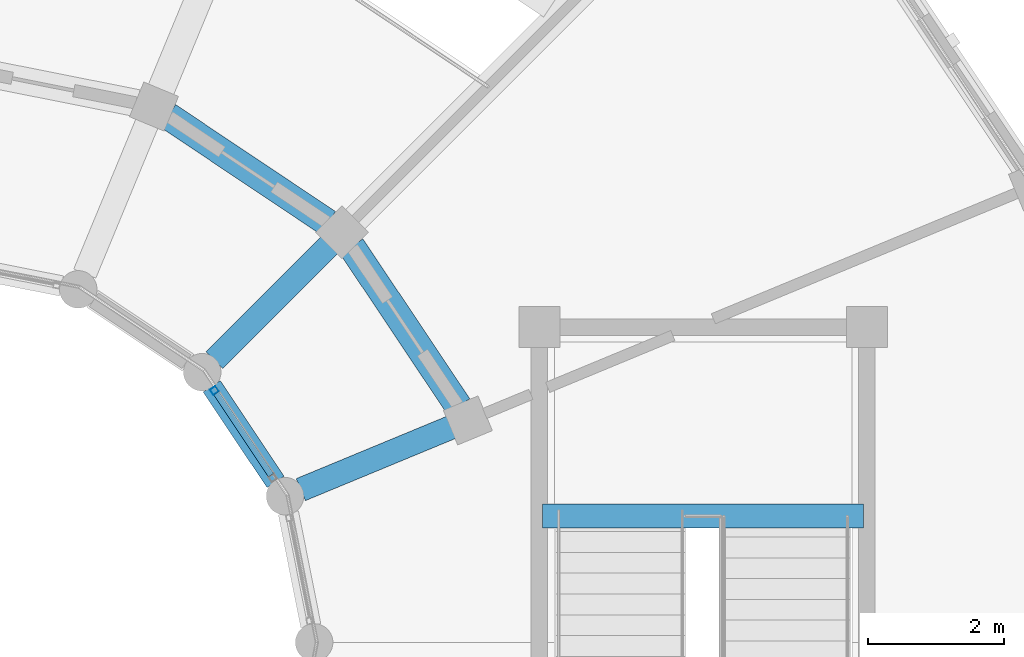
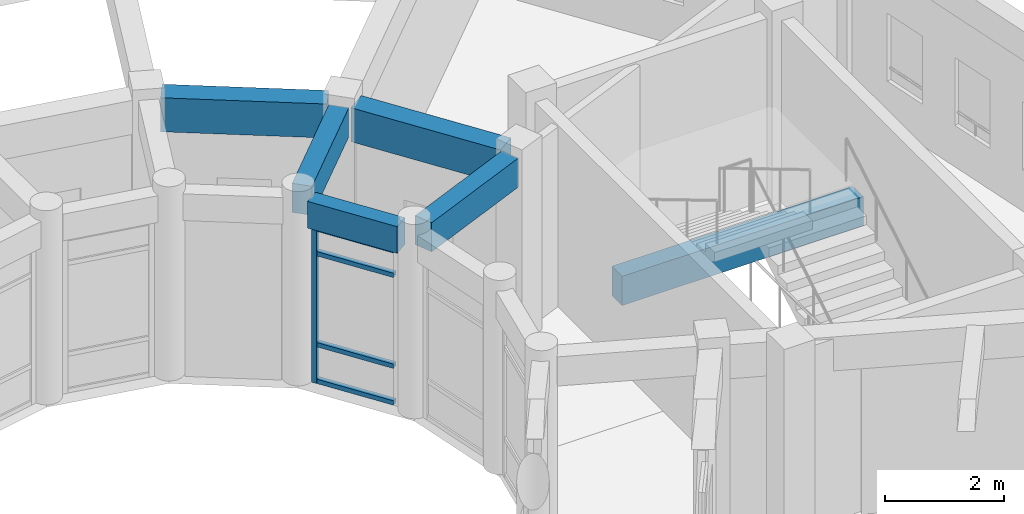
# One storey, part 72 of 159: 6 beams, 5 members, 1 element without a shape of its own.
"""IFC4 building model written with IfcOpenShell, lengths in metres."""

from ifc_helpers import new_model, si_unit, direction, frame, origin, origin_2d, place, context, subcontext, project, spatial, rectangle, hollow_rectangle, extrude, material, material_profile, profile_set, type_object, element, aggregate, save


model = new_model("IFC4")

# Units and contexts
model_context = context("Model", 3, precision=1e-05, world=origin(), true_north=direction((0.0, 1.0)))
body_context = subcontext(model_context, "Body", "Model", "MODEL_VIEW")
ifc_project = project(units=[si_unit("LENGTHUNIT", "METRE"), si_unit("AREAUNIT", "SQUARE_METRE"), si_unit("VOLUMEUNIT", "CUBIC_METRE"), si_unit("PLANEANGLEUNIT", "RADIAN"), si_unit("MASSUNIT", "GRAM", prefix="KILO")], contexts=[model_context])

# Site, building, storey
site_placement = place(None, origin())
site = spatial("IfcSite", under=ifc_project, at=site_placement, CompositionType="ELEMENT")
building_placement = place(site_placement, origin())
building = spatial("IfcBuilding", under=site, at=building_placement, Name="Celadon Cloister-Ring School", CompositionType="ELEMENT")
storey_placement = place(building_placement, frame((0.0, 0.0, 4.5)))
storey = spatial("IfcBuildingStorey", under=building, at=storey_placement, Name="L01", CompositionType="ELEMENT", Elevation=4.5)

# Beams
ifc_material_1 = material(Name="Concrete C35/45", Category="concrete")
ifc_material_profile_1 = material_profile(ifc_material_1, rectangle(XDim=0.35009765625, YDim=0.60009765625, at=origin_2d()), Name="RC350X600")
ifc_profile_set_1 = profile_set([ifc_material_profile_1], Name="Concrete C35/45")
beam_type_1 = type_object("IfcBeamType", Name="BT-02", PredefinedType="BEAM", material=ifc_profile_set_1)
beam_1_placement = place(storey_placement, frame((27.822021484375, 100.156982421875, 3.47998046875), z_axis=(-0.923932522988, -0.382555476978, 0.0), x_axis=(0.382555476978, -0.923932522988, 0.0)))
element("IfcBeam", 1, at=beam_1_placement, inside=storey, type_object=beam_type_1, Name="Beam 0660", PredefinedType="BEAM", context=body_context, shape_type="SweptSolid", body=[
    extrude(rectangle(XDim=0.35009765625, YDim=0.60009765625, at=origin_2d()), origin(), (0.0, 0.0, 1.0), 2.399658203125),
])
beam_2_placement = place(storey_placement, frame((26.032958984375, 102.8330078125, 3.47998046875), z_axis=(-0.707106781187, -0.707106781187, 0.0), x_axis=(0.707106781187, -0.707106781187, 0.0)))
element("IfcBeam", 2, at=beam_2_placement, inside=storey, type_object=beam_type_1, Name="Beam 0662", PredefinedType="BEAM", context=body_context, shape_type="SweptSolid", body=[
    extrude(rectangle(XDim=0.35009765625, YDim=0.60009765625, at=origin_2d()), origin(), (0.0, 0.0, 1.0), 2.398681640625),
])
beam_3_placement = place(storey_placement, frame((29.14990234375, 98.85009765625, 1.39990234375), z_axis=(1.0, 0.0, 0.0), x_axis=(0.0, 1.0, 0.0)))
element("IfcBeam", 3, at=beam_3_placement, inside=storey, type_object=beam_type_1, Name="Stair Landing Beam 1741", PredefinedType="BEAM", context=body_context, shape_type="SweptSolid", body=[
    extrude(rectangle(XDim=0.35009765625, YDim=0.60009765625, at=origin_2d()), origin(), (0.0, 0.0, 1.0), 4.7001953125),
])

# Curtain wall, members
ifc_material_2 = material(Name="Aluminium EN AW-6063 T6", Category="aluminium")
curtain_wall_type = type_object("IfcCurtainWallType", Name="CW-04", PredefinedType="USERDEFINED", material=ifc_material_2)
curtain_wall_placement = place(storey_placement, origin())
curtain_wall = element("IfcCurtainWall", 4, at=curtain_wall_placement, inside=storey, type_object=curtain_wall_type, Name="Curtain Wall 0092", ObjectType="CURTAIN WALL", PredefinedType="USERDEFINED")
ifc_material_3 = material(Name="Aluminium EN AW-6063 T6", Category="aluminium")
ifc_material_profile_2 = material_profile(ifc_material_3, hollow_rectangle(XDim=0.094970703125, YDim=0.094970703125, WallThickness=0.00390625, at=origin_2d()), Name="RHS95X95X4")
ifc_profile_set_2 = profile_set([ifc_material_profile_2], Name="Aluminium EN AW-6063 T6")
member_type_1 = type_object("IfcMemberType", Name="CM-02", PredefinedType="MULLION", material=ifc_profile_set_2)
member_1_placement = place(storey_placement, frame((24.33935546875, 100.69140625, 0.0), z_axis=(0.0, 0.0, 1.0), x_axis=(-0.831485091394, -0.555547066224, 0.0)))
member_1 = element("IfcMember", 5, at=member_1_placement, type_object=member_type_1, Name="CW-04 mullion 2", PredefinedType="MULLION", context=body_context, shape_type="SweptSolid", body=[
    extrude(hollow_rectangle(XDim=0.094970703125, YDim=0.094970703125, WallThickness=0.00390625, at=origin_2d()), origin(), (0.0, 0.0, 1.0), 3.221923828125),
])
ifc_material_4 = material(Name="Aluminium EN AW-6063 T6", Category="aluminium")
ifc_material_profile_3 = material_profile(ifc_material_4, hollow_rectangle(XDim=0.090087890625, YDim=0.090087890625, WallThickness=0.00390625, at=origin_2d()), Name="RHS90X90X4")
ifc_profile_set_3 = profile_set([ifc_material_profile_3], Name="Aluminium EN AW-6063 T6")
member_type_2 = type_object("IfcMemberType", Name="CTM-02", PredefinedType="USERDEFINED", material=ifc_profile_set_3)
member_2_placement = place(storey_placement, frame((25.168212890625, 99.450927734375, 0.044921875), z_axis=(-0.555518951009, 0.831503875559, 0.0), x_axis=(-0.831503875559, -0.555518951009, 0.0)))
member_2 = element("IfcMember", 6, at=member_2_placement, type_object=member_type_2, Name="CW-04 transom 1.1", ObjectType="TRANSOM", PredefinedType="USERDEFINED", context=body_context, shape_type="SweptSolid", body=[
    extrude(hollow_rectangle(XDim=0.090087890625, YDim=0.090087890625, WallThickness=0.00390625, at=origin_2d()), origin(), (0.0, 0.0, 1.0), 1.444580078125),
])
member_3_placement = place(storey_placement, frame((25.168212890625, 99.450927734375, 0.800048828125), z_axis=(-0.555518951009, 0.831503875559, 0.0), x_axis=(-0.831503875559, -0.555518951009, 0.0)))
member_3 = element("IfcMember", 7, at=member_3_placement, type_object=member_type_2, Name="CW-04 transom 1.2", ObjectType="TRANSOM", PredefinedType="USERDEFINED", context=body_context, shape_type="SweptSolid", body=[
    extrude(hollow_rectangle(XDim=0.090087890625, YDim=0.090087890625, WallThickness=0.00390625, at=origin_2d()), origin(), (0.0, 0.0, 1.0), 1.444580078125),
])
member_4_placement = place(storey_placement, frame((25.168212890625, 99.450927734375, 2.672119140625), z_axis=(-0.555518951009, 0.831503875559, 0.0), x_axis=(-0.831503875559, -0.555518951009, 0.0)))
member_4 = element("IfcMember", 8, at=member_4_placement, type_object=member_type_2, Name="CW-04 transom 1.3", ObjectType="TRANSOM", PredefinedType="USERDEFINED", context=body_context, shape_type="SweptSolid", body=[
    extrude(hollow_rectangle(XDim=0.090087890625, YDim=0.090087890625, WallThickness=0.00390625, at=origin_2d()), origin(), (0.0, 0.0, 1.0), 1.444580078125),
])
member_5_placement = place(storey_placement, frame((25.168212890625, 99.450927734375, 3.177001953125), z_axis=(-0.555518951009, 0.831503875559, 0.0), x_axis=(-0.831503875559, -0.555518951009, 0.0)))
member_5 = element("IfcMember", 9, at=member_5_placement, type_object=member_type_2, Name="CW-04 transom 1.4", ObjectType="TRANSOM", PredefinedType="USERDEFINED", context=body_context, shape_type="SweptSolid", body=[
    extrude(hollow_rectangle(XDim=0.090087890625, YDim=0.090087890625, WallThickness=0.00390625, at=origin_2d()), origin(), (0.0, 0.0, 1.0), 1.444580078125),
])
aggregate(curtain_wall, [member_1, member_2, member_3, member_4, member_5])

# Beams
ifc_material_5 = material(Name="Concrete C35/45", Category="concrete")
ifc_material_profile_4 = material_profile(ifc_material_5, rectangle(XDim=0.39990234375, YDim=0.699951171875, at=origin_2d()), Name="RC400X700")
ifc_profile_set_4 = profile_set([ifc_material_profile_4], Name="Concrete C35/45")
beam_type_2 = type_object("IfcBeamType", Name="GT-03", PredefinedType="USERDEFINED", material=ifc_profile_set_4)
beam_4_placement = place(storey_placement, frame((27.9140625, 100.4609375, 3.429931640625), z_axis=(-0.555740149771, 0.831356052442, 0.0), x_axis=(-0.831356052442, -0.555740149771, 0.0)))
element("IfcBeam", 10, at=beam_4_placement, inside=storey, type_object=beam_type_2, Name="Beam 0687", ObjectType="GIRDER", PredefinedType="USERDEFINED", context=body_context, shape_type="SweptSolid", body=[
    extrude(rectangle(XDim=0.39990234375, YDim=0.699951171875, at=origin_2d()), origin(), (0.0, 0.0, 1.0), 2.81591796875),
])
beam_5_placement = place(storey_placement, frame((26.001953125, 103.14892578125, 3.429931640625), z_axis=(-0.831315995752, 0.555800067657, 0.0), x_axis=(-0.555800067657, -0.831315995752, 0.0)))
element("IfcBeam", 11, at=beam_5_placement, inside=storey, type_object=beam_type_2, Name="Beam 0690", ObjectType="GIRDER", PredefinedType="USERDEFINED", context=body_context, shape_type="SweptSolid", body=[
    extrude(rectangle(XDim=0.39990234375, YDim=0.699951171875, at=origin_2d()), origin(), (0.0, 0.0, 1.0), 2.816162109375),
])
ifc_material_6 = material(Name="Concrete C35/45", Category="concrete")
ifc_material_profile_5 = material_profile(ifc_material_6, rectangle(XDim=0.300048828125, YDim=0.550048828125, at=origin_2d()), Name="RC300X550")
ifc_profile_set_5 = profile_set([ifc_material_profile_5], Name="Concrete C35/45")
beam_type_3 = type_object("IfcBeamType", Name="SP-02", PredefinedType="SPANDREL", material=ifc_profile_set_5)
beam_6_placement = place(storey_placement, frame((25.235107421875, 99.35107421875, 3.5048828125), z_axis=(-0.555569328961, 0.831470216374, 0.0), x_axis=(-0.831470216374, -0.555569328961, 0.0)))
element("IfcBeam", 12, at=beam_6_placement, inside=storey, type_object=beam_type_3, Name="Beam 0688", PredefinedType="SPANDREL", context=body_context, shape_type="SweptSolid", body=[
    extrude(rectangle(XDim=0.300048828125, YDim=0.550048828125, at=origin_2d()), origin(), (0.0, 0.0, 1.0), 1.684814453125),
])

save(model, "model.ifc")
